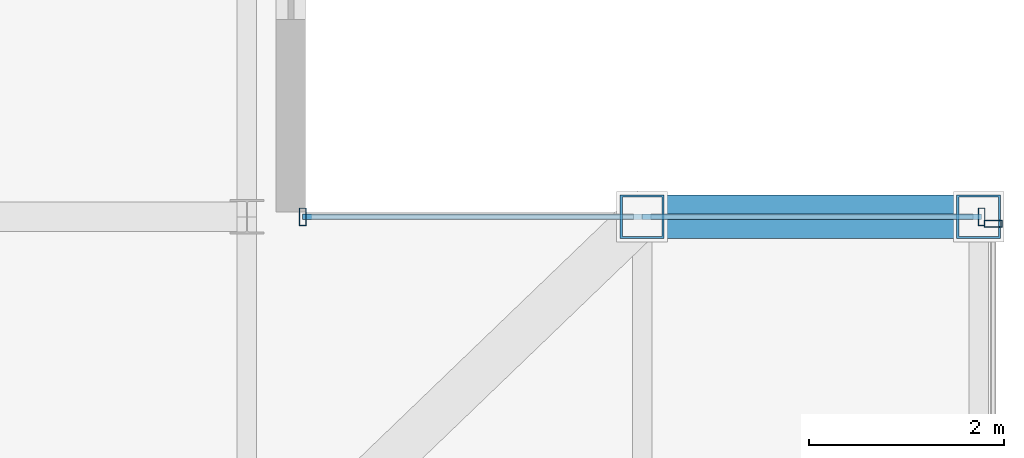
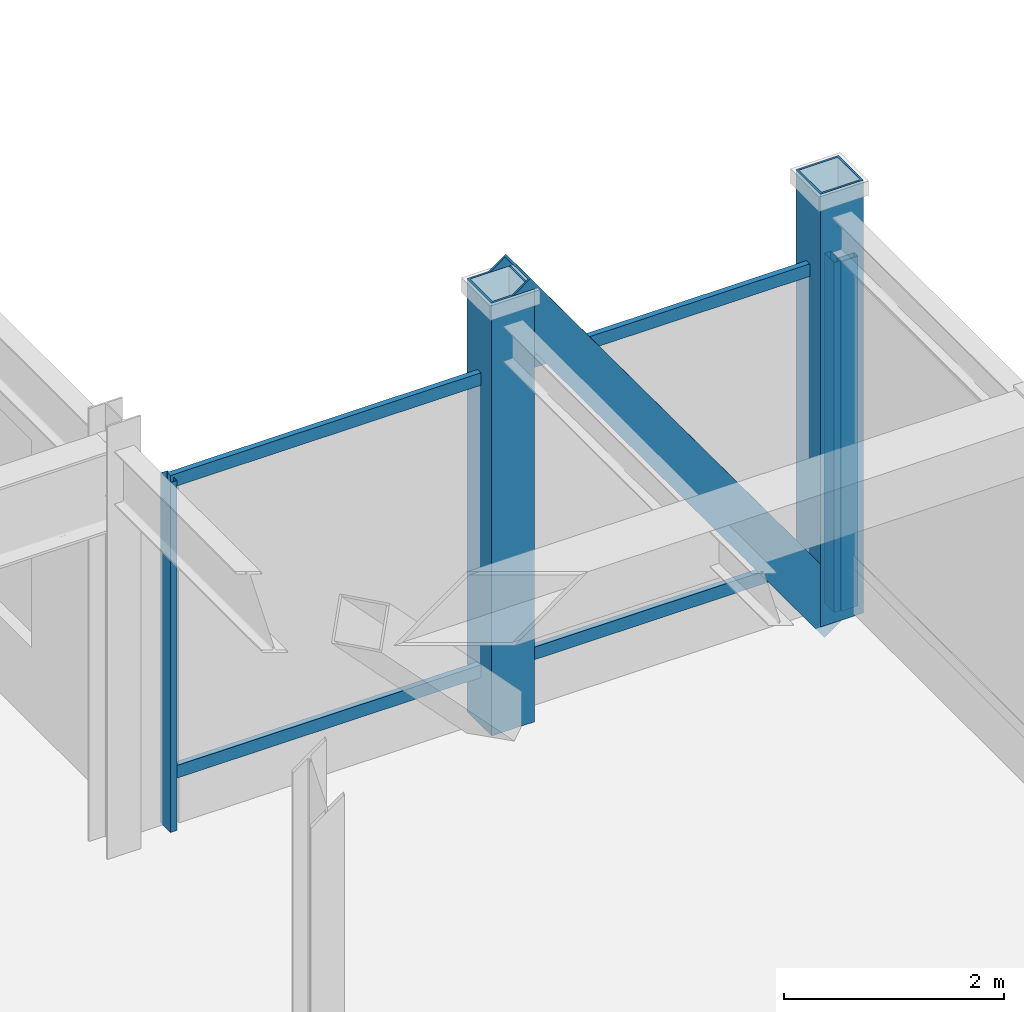
# One storey, part 12 of 26: 10 members, 2 elements without a shape of their own.
"""IFC4 building model written with IfcOpenShell, lengths in metres."""

from ifc_helpers import new_model, si_unit, direction, frame, origin, origin_2d, place, context, subcontext, project, spatial, hollow_rectangle, extrude, material, layer, layer_set, material_profile, profile_set, type_object, element, aggregate, save


model = new_model("IFC4")

# Units and contexts
model_context = context("Model", 3, precision=1e-05, world=origin(), true_north=direction((0.0, 1.0)))
body_context = subcontext(model_context, "Body", "Model", "MODEL_VIEW")
ifc_project = project(units=[si_unit("LENGTHUNIT", "METRE"), si_unit("AREAUNIT", "SQUARE_METRE"), si_unit("VOLUMEUNIT", "CUBIC_METRE"), si_unit("PLANEANGLEUNIT", "RADIAN"), si_unit("MASSUNIT", "GRAM", prefix="KILO")], contexts=[model_context])

# Site, building, storey
site_placement = place(None, origin())
site = spatial("IfcSite", under=ifc_project, at=site_placement, CompositionType="ELEMENT")
building_placement = place(site_placement, origin())
building = spatial("IfcBuilding", under=site, at=building_placement, Name="Veldorina Hangang Commons", CompositionType="ELEMENT")
storey_placement = place(building_placement, frame((0.0, 0.0, 10.0)))
storey = spatial("IfcBuildingStorey", under=building, at=storey_placement, Name="L02", CompositionType="ELEMENT", Elevation=10.0)

# Members
ifc_material_1 = material(Name="Steel SM420-TMC", Category="steel")
ifc_material_profile_1 = material_profile(ifc_material_1, hollow_rectangle(XDim=0.449951171875, YDim=0.449951171875, WallThickness=0.02197265625, at=origin_2d()), Name="SHS-450x450x22")
ifc_profile_set_1 = profile_set([ifc_material_profile_1], Name="Steel SM420-TMC")
member_type_1 = type_object("IfcMemberType", Name="CNT-SHS450", PredefinedType="BRACE", material=ifc_profile_set_1)
for number, where, z_axis, x_axis, name in (
    (1, (63.60009765625, 31.449951171875, 0.0), (0.0, 0.0, 1.0), (1.0, 0.0, 0.0), "L02 lounge truss vertical N-P1"),
    (2, (67.050048828125, 31.449951171875, 0.0), (0.0, 0.0, 1.0), (1.0, 0.0, 0.0), "L02 lounge truss vertical N-P2"),
):
    element("IfcMember", number, at=place(storey_placement, frame(where, z_axis=z_axis, x_axis=x_axis)), inside=storey, type_object=member_type_1, Name=name, PredefinedType="BRACE", context=body_context, shape_type="SweptSolid", body=[
        extrude(hollow_rectangle(XDim=0.449951171875, YDim=0.449951171875, WallThickness=0.02197265625, at=origin_2d()), origin(), (0.0, 0.0, 1.0), 4.800048828125),
    ])
member_1_placement = place(storey_placement, frame((63.60009765625, 31.449951171875, 4.800048828125), z_axis=(0.583626686872, 0.0, -0.812022099681), x_axis=(0.0, 1.0, 0.0)))
element("IfcMember", 3, at=member_1_placement, inside=storey, type_object=member_type_1, Name="L02 lounge truss diagonal N-D2", PredefinedType="BRACE", context=body_context, shape_type="SweptSolid", body=[
    extrude(hollow_rectangle(XDim=0.449951171875, YDim=0.449951171875, WallThickness=0.02197265625, at=origin_2d()), origin(), (0.0, 0.0, 1.0), 5.9111328125),
])

# Curtain wall, member
ifc_material_2 = material(Name="Glass Low-E Solar Control", Category="glass")
ifc_layer = layer(ifc_material_2, 0.179931640625)
ifc_layer_set = layer_set([ifc_layer], Name="Glass Low-E Solar Control")
curtain_wall_type = type_object("IfcCurtainWallType", Name="CW-SYS-CANT", PredefinedType="NOTDEFINED", material=ifc_layer_set)
curtain_wall_1_placement = place(storey_placement, origin())
curtain_wall_1 = element("IfcCurtainWall", 4, at=curtain_wall_1_placement, inside=storey, type_object=curtain_wall_type, Name="L02 unitised curtain wall CW-L02-CANT-E", PredefinedType="NOTDEFINED")
ifc_material_3 = material(Name="Aluminium Anodized AA6063-T6", Category="aluminium")
ifc_material_profile_2 = material_profile(ifc_material_3, hollow_rectangle(XDim=0.070068359375, YDim=0.179931640625, WallThickness=0.00390625, at=origin_2d()), Name="ALU-RHS-180x70x4")
ifc_profile_set_2 = profile_set([ifc_material_profile_2], Name="Aluminium Anodized AA6063-T6")
member_type_2 = type_object("IfcMemberType", Name="CW-MUL-180", PredefinedType="MULLION", material=ifc_profile_set_2)
member_2_placement = place(storey_placement, frame((67.199951171875, 31.3798828125, 0.0), z_axis=(0.0, 0.0, 1.0), x_axis=(0.0, -1.0, 0.0)))
member_2 = element("IfcMember", 5, at=member_2_placement, type_object=member_type_2, Name="CW-L02-CANT-E vertical mullion 2", PredefinedType="MULLION", context=body_context, shape_type="SweptSolid", body=[
    extrude(hollow_rectangle(XDim=0.070068359375, YDim=0.179931640625, WallThickness=0.00390625, at=origin_2d()), origin(), (0.0, 0.0, 1.0), 3.8798828125),
])
aggregate(curtain_wall_1, [member_2])

# Curtain wall, members
curtain_wall_2_placement = place(storey_placement, origin())
curtain_wall_2 = element("IfcCurtainWall", 6, at=curtain_wall_2_placement, inside=storey, type_object=curtain_wall_type, Name="L02 unitised curtain wall CW-L02-CANT-N", PredefinedType="NOTDEFINED")
member_3_placement = place(storey_placement, frame((67.080078125, 31.449951171875, 0.0), z_axis=(0.0, 0.0, 1.0), x_axis=(-1.0, 0.0, 0.0)))
member_3 = element("IfcMember", 7, at=member_3_placement, type_object=member_type_2, Name="CW-L02-CANT-N vertical mullion 1", PredefinedType="MULLION", context=body_context, shape_type="SweptSolid", body=[
    extrude(hollow_rectangle(XDim=0.070068359375, YDim=0.179931640625, WallThickness=0.00390625, at=origin_2d()), origin(), (0.0, 0.0, 1.0), 3.8798828125),
])
member_4_placement = place(storey_placement, frame((60.1201171875, 31.449951171875, 0.0), z_axis=(0.0, 0.0, 1.0), x_axis=(1.0, 0.0, 0.0)))
member_4 = element("IfcMember", 8, at=member_4_placement, type_object=member_type_2, Name="CW-L02-CANT-N vertical mullion 2", PredefinedType="MULLION", context=body_context, shape_type="SweptSolid", body=[
    extrude(hollow_rectangle(XDim=0.070068359375, YDim=0.179931640625, WallThickness=0.00390625, at=origin_2d()), origin(), (0.0, 0.0, 1.0), 3.8798828125),
])
ifc_material_profile_3 = material_profile(ifc_material_3, hollow_rectangle(XDim=0.06005859375, YDim=0.139892578125, WallThickness=0.00341796875, at=origin_2d()), Name="ALU-RHS-140x60x3.5")
ifc_profile_set_3 = profile_set([ifc_material_profile_3], Name="Aluminium Anodized AA6063-T6")
member_type_3 = type_object("IfcMemberType", Name="CW-TRN-140", PredefinedType="USERDEFINED", material=ifc_profile_set_3)
member_5_placement = place(storey_placement, frame((67.080078125, 31.449951171875, 0.60009765625), z_axis=(-1.0, 0.0, 0.0), x_axis=(0.0, -1.0, 0.0)))
member_5 = element("IfcMember", 9, at=member_5_placement, type_object=member_type_3, Name="CW-L02-CANT-N facet 1 transom 1", ObjectType="TRANSOM", PredefinedType="USERDEFINED", context=body_context, shape_type="SweptSolid", body=[
    extrude(hollow_rectangle(XDim=0.06005859375, YDim=0.139892578125, WallThickness=0.00341796875, at=origin_2d()), origin(), (0.0, 0.0, 1.0), 3.47998046875),
])
member_6_placement = place(storey_placement, frame((67.080078125, 31.449951171875, 3.840087890625), z_axis=(-1.0, 0.0, 0.0), x_axis=(0.0, -1.0, 0.0)))
member_6 = element("IfcMember", 10, at=member_6_placement, type_object=member_type_3, Name="CW-L02-CANT-N facet 1 transom 2", ObjectType="TRANSOM", PredefinedType="USERDEFINED", context=body_context, shape_type="SweptSolid", body=[
    extrude(hollow_rectangle(XDim=0.06005859375, YDim=0.139892578125, WallThickness=0.00341796875, at=origin_2d()), origin(), (0.0, 0.0, 1.0), 3.47998046875),
])
member_7_placement = place(storey_placement, frame((63.60009765625, 31.449951171875, 0.60009765625), z_axis=(-1.0, 0.0, 0.0), x_axis=(0.0, -1.0, 0.0)))
member_7 = element("IfcMember", 11, at=member_7_placement, type_object=member_type_3, Name="CW-L02-CANT-N facet 2 transom 1", ObjectType="TRANSOM", PredefinedType="USERDEFINED", context=body_context, shape_type="SweptSolid", body=[
    extrude(hollow_rectangle(XDim=0.06005859375, YDim=0.139892578125, WallThickness=0.00341796875, at=origin_2d()), origin(), (0.0, 0.0, 1.0), 3.47998046875),
])
member_8_placement = place(storey_placement, frame((63.60009765625, 31.449951171875, 3.840087890625), z_axis=(-1.0, 0.0, 0.0), x_axis=(0.0, -1.0, 0.0)))
member_8 = element("IfcMember", 12, at=member_8_placement, type_object=member_type_3, Name="CW-L02-CANT-N facet 2 transom 2", ObjectType="TRANSOM", PredefinedType="USERDEFINED", context=body_context, shape_type="SweptSolid", body=[
    extrude(hollow_rectangle(XDim=0.06005859375, YDim=0.139892578125, WallThickness=0.00341796875, at=origin_2d()), origin(), (0.0, 0.0, 1.0), 3.47998046875),
])
aggregate(curtain_wall_2, [member_3, member_4, member_5, member_6, member_7, member_8])

save(model, "model.ifc")
